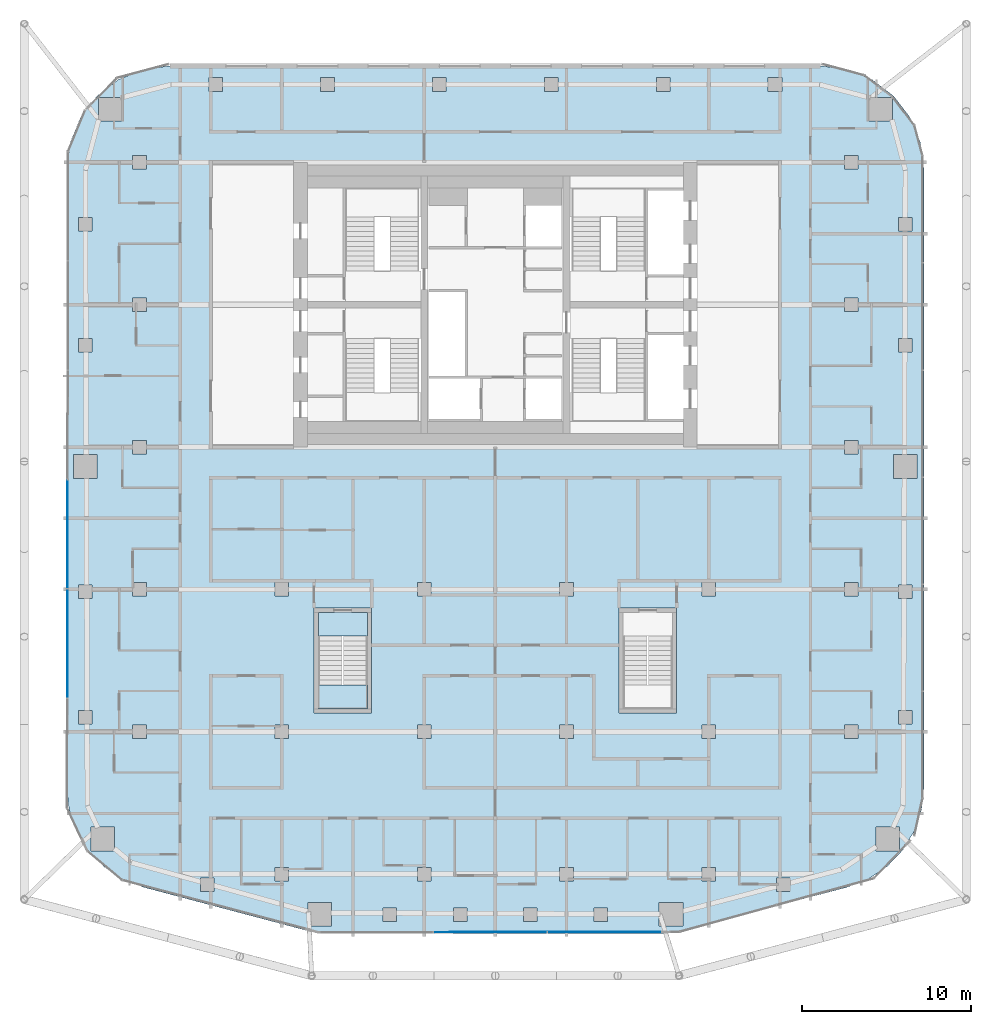
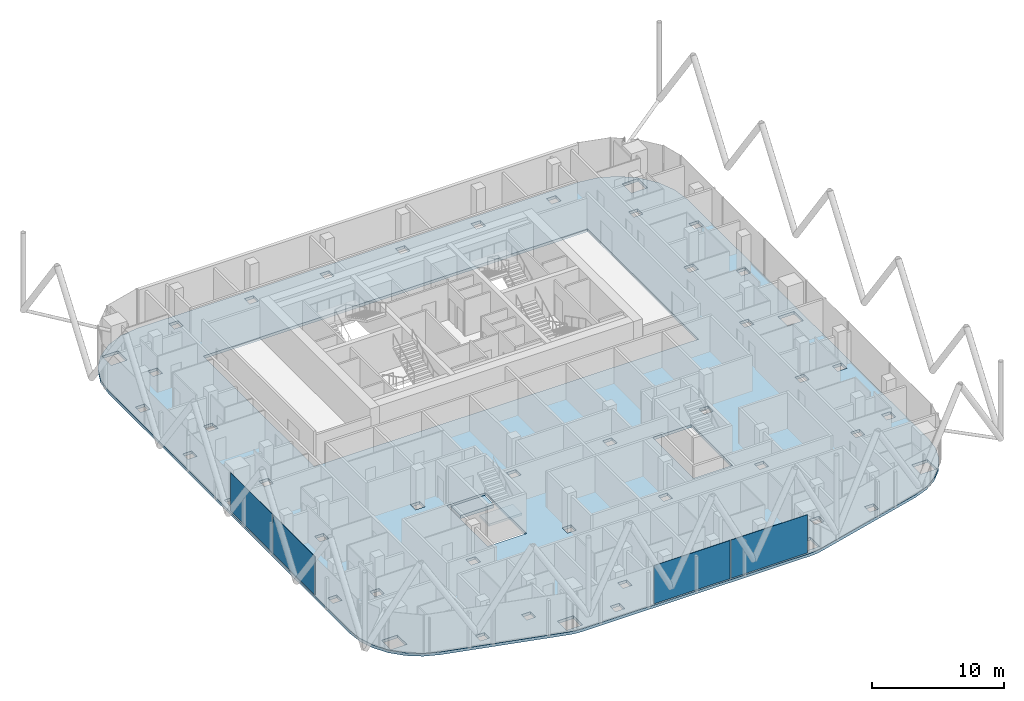
# One storey, part 15 of 28: 4 plates, 3 slabs, 3 elements without a shape of their own.
"""IFC4 building model written with IfcOpenShell, lengths in metres."""

from ifc_helpers import new_model, si_unit, direction, frame, origin, origin_2d, place, context, subcontext, project, spatial, polyline, rectangle, outline, extrude, material, layer, layer_set, type_object, element, aggregate, save


model = new_model("IFC4")

# Units and contexts
model_context = context("Model", 3, precision=1e-05, world=origin(), true_north=direction((0.0, 1.0)))
body_context = subcontext(model_context, "Body", "Model", "MODEL_VIEW")
ifc_project = project(units=[si_unit("LENGTHUNIT", "METRE"), si_unit("AREAUNIT", "SQUARE_METRE"), si_unit("VOLUMEUNIT", "CUBIC_METRE"), si_unit("PLANEANGLEUNIT", "RADIAN"), si_unit("MASSUNIT", "GRAM", prefix="KILO")], contexts=[model_context])

# Site, building, storey
site_placement = place(None, origin())
site = spatial("IfcSite", under=ifc_project, at=site_placement, CompositionType="ELEMENT")
building_placement = place(site_placement, origin())
building = spatial("IfcBuilding", under=site, at=building_placement, Name="Marenta Gate Hotel Tower", CompositionType="ELEMENT")
storey_placement = place(building_placement, frame((0.0, 0.0, 212.89990234375)))
storey = spatial("IfcBuildingStorey", under=building, at=storey_placement, Name="L49", CompositionType="ELEMENT", Elevation=212.89990234375)

# Slab
ifc_material_1 = material(Name="Concrete C35", Category="concrete")
ifc_layer_1 = layer(ifc_material_1, 0.260009765625)
ifc_layer_set_1 = layer_set([ifc_layer_1], Name="Concrete C35")
slab_type_1 = type_object("IfcSlabType", Name="Concrete floor slab 260", PredefinedType="FLOOR", material=ifc_layer_set_1)
slab_1_placement = place(storey_placement, frame((0.0, 0.0, -0.260009765625)))
element("IfcSlab", 1, at=slab_1_placement, inside=storey, type_object=slab_type_1, Name="L49-SL-1", PredefinedType="FLOOR", context=body_context, shape_type="SweptSolid", body=[
    extrude(outline(polyline([(-23.11376953125, -24.76416015625), (-24.035400390625, -23.803955078125), (-24.72705078125, -22.6669921875), (-25.155517578125, -21.4072265625), (-25.300048828125, -20.08984375), (-25.300048828125, 16.406494140625), (-25.093017578125, 17.97900390625), (-24.483642578125, 19.450439453125), (-23.513916015625, 20.7138671875), (-22.25048828125, 21.68359375), (-20.779052734375, 22.29296875), (-19.20654296875, 22.5), (19.20654296875, 22.5), (20.779052734375, 22.29296875), (22.25048828125, 21.68359375), (23.513916015625, 20.7138671875), (24.483642578125, 19.450439453125), (25.093017578125, 17.97900390625), (25.300048828125, 16.406494140625), (25.300048828125, -20.08984375), (25.155517578125, -21.4072265625), (24.72705078125, -22.6669921875), (24.035400390625, -23.803955078125), (23.11376953125, -24.76416015625), (22.005859375, -25.501220703125), (20.76953125, -25.978759765625), (11.026611328125, -28.563720703125), (10.508544921875, -28.665771484375), (9.981689453125, -28.699951171875), (-9.981689453125, -28.699951171875), (-10.508544921875, -28.665771484375), (-11.026611328125, -28.563720703125), (-20.76953125, -25.978759765625), (-22.005859375, -25.501220703125), (-23.11376953125, -24.76416015625)]), holes=[polyline([(-16.800048828125, 0.0), (16.800048828125, 0.0), (16.800048828125, 16.800048828125), (-16.800048828125, 16.800048828125), (-16.800048828125, 0.0)]), polyline([(-16.606689453125, -25.439208984375), (-17.40673828125, -25.439208984375), (-17.40673828125, -26.239013671875), (-16.606689453125, -26.239013671875), (-16.606689453125, -25.439208984375)]), polyline([(-12.199951171875, -25.60009765625), (-12.199951171875, -24.800048828125), (-13.0, -24.800048828125), (-13.0, -25.60009765625), (-12.199951171875, -25.60009765625)]), polyline([(-22.462890625, -23.8330078125), (-22.462890625, -22.43310546875), (-23.863037109375, -22.43310546875), (-23.863037109375, -23.8330078125), (-22.462890625, -23.8330078125)]), polyline([(-12.199951171875, -16.39990234375), (-13.0, -16.39990234375), (-13.0, -17.199951171875), (-12.199951171875, -17.199951171875), (-12.199951171875, -16.39990234375)]), polyline([(-20.60009765625, -17.199951171875), (-20.60009765625, -16.39990234375), (-21.39990234375, -16.39990234375), (-21.39990234375, -17.199951171875), (-20.60009765625, -17.199951171875)]), polyline([(-23.800048828125, -16.351806640625), (-23.800048828125, -15.552001953125), (-24.60009765625, -15.552001953125), (-24.60009765625, -16.351806640625), (-23.800048828125, -16.351806640625)]), polyline([(-23.800048828125, -8.15087890625), (-24.60009765625, -8.15087890625), (-24.60009765625, -8.950927734375), (-23.800048828125, -8.950927734375), (-23.800048828125, -8.15087890625)]), polyline([(-12.199951171875, -8.800048828125), (-12.199951171875, -8.0), (-13.0, -8.0), (-13.0, -8.800048828125), (-12.199951171875, -8.800048828125)]), polyline([(-20.60009765625, -8.800048828125), (-20.60009765625, -8.0), (-21.39990234375, -8.0), (-21.39990234375, -8.800048828125), (-20.60009765625, -8.800048828125)]), polyline([(-23.5, -0.449951171875), (-24.89990234375, -0.449951171875), (-24.89990234375, -1.85009765625), (-23.5, -1.85009765625), (-23.5, -0.449951171875)]), polyline([(-20.60009765625, -0.39990234375), (-20.60009765625, 0.39990234375), (-21.39990234375, 0.39990234375), (-21.39990234375, -0.39990234375), (-20.60009765625, -0.39990234375)]), polyline([(-23.800048828125, 5.603271484375), (-23.800048828125, 6.4033203125), (-24.60009765625, 6.4033203125), (-24.60009765625, 5.603271484375), (-23.800048828125, 5.603271484375)]), polyline([(-20.60009765625, 8.800048828125), (-21.39990234375, 8.800048828125), (-21.39990234375, 8.0), (-20.60009765625, 8.0), (-20.60009765625, 8.800048828125)]), polyline([(-23.800048828125, 12.75634765625), (-23.800048828125, 13.556396484375), (-24.60009765625, 13.556396484375), (-24.60009765625, 12.75634765625), (-23.800048828125, 12.75634765625)]), polyline([(-20.60009765625, 16.39990234375), (-20.60009765625, 17.199951171875), (-21.39990234375, 17.199951171875), (-21.39990234375, 16.39990234375), (-20.60009765625, 16.39990234375)]), polyline([(-22.035400390625, 20.635498046875), (-23.435546875, 20.635498046875), (-23.435546875, 19.235595703125), (-22.035400390625, 19.235595703125), (-22.035400390625, 20.635498046875)]), polyline([(-16.10693359375, 21.0), (-16.10693359375, 21.800048828125), (-16.906982421875, 21.800048828125), (-16.906982421875, 21.0), (-16.10693359375, 21.0)]), polyline([(-5.820068359375, -28.0), (-5.820068359375, -27.199951171875), (-6.6201171875, -27.199951171875), (-6.6201171875, -28.0), (-5.820068359375, -28.0)]), polyline([(6.6201171875, -27.199951171875), (5.820068359375, -27.199951171875), (5.820068359375, -28.0), (6.6201171875, -28.0), (6.6201171875, -27.199951171875)]), polyline([(2.473388671875, -28.0), (2.473388671875, -27.199951171875), (1.67333984375, -27.199951171875), (1.67333984375, -28.0), (2.473388671875, -28.0)]), polyline([(-1.67333984375, -28.0), (-1.67333984375, -27.199951171875), (-2.473388671875, -27.199951171875), (-2.473388671875, -28.0), (-1.67333984375, -28.0)]), polyline([(-9.666259765625, -28.27490234375), (-9.666259765625, -26.874755859375), (-11.06640625, -26.874755859375), (-11.06640625, -28.27490234375), (-9.666259765625, -28.27490234375)]), polyline([(11.06640625, -28.27490234375), (11.06640625, -26.874755859375), (9.666259765625, -26.874755859375), (9.666259765625, -28.27490234375), (11.06640625, -28.27490234375)]), polyline([(13.0, -25.60009765625), (13.0, -24.800048828125), (12.199951171875, -24.800048828125), (12.199951171875, -25.60009765625), (13.0, -25.60009765625)]), polyline([(4.60009765625, -25.60009765625), (4.60009765625, -24.800048828125), (3.800048828125, -24.800048828125), (3.800048828125, -25.60009765625), (4.60009765625, -25.60009765625)]), polyline([(-3.800048828125, -24.800048828125), (-4.60009765625, -24.800048828125), (-4.60009765625, -25.60009765625), (-3.800048828125, -25.60009765625), (-3.800048828125, -24.800048828125)]), polyline([(4.60009765625, -17.199951171875), (4.60009765625, -16.39990234375), (3.800048828125, -16.39990234375), (3.800048828125, -17.199951171875), (4.60009765625, -17.199951171875)]), polyline([(-3.800048828125, -17.199951171875), (-3.800048828125, -16.39990234375), (-4.60009765625, -16.39990234375), (-4.60009765625, -17.199951171875), (-3.800048828125, -17.199951171875)]), polyline([(4.60009765625, -8.0), (3.800048828125, -8.0), (3.800048828125, -8.800048828125), (4.60009765625, -8.800048828125), (4.60009765625, -8.0)]), polyline([(-3.800048828125, -8.800048828125), (-3.800048828125, -8.0), (-4.60009765625, -8.0), (-4.60009765625, -8.800048828125), (-3.800048828125, -8.800048828125)]), polyline([(-2.9013671875, 21.0), (-2.9013671875, 21.800048828125), (-3.701416015625, 21.800048828125), (-3.701416015625, 21.0), (-2.9013671875, 21.0)]), polyline([(3.701416015625, 21.800048828125), (2.9013671875, 21.800048828125), (2.9013671875, 21.0), (3.701416015625, 21.0), (3.701416015625, 21.800048828125)]), polyline([(10.30419921875, 21.0), (10.30419921875, 21.800048828125), (9.504150390625, 21.800048828125), (9.504150390625, 21.0), (10.30419921875, 21.0)]), polyline([(-9.504150390625, 21.0), (-9.504150390625, 21.800048828125), (-10.30419921875, 21.800048828125), (-10.30419921875, 21.0), (-9.504150390625, 21.0)]), polyline([(17.40673828125, -25.439208984375), (16.606689453125, -25.439208984375), (16.606689453125, -26.239013671875), (17.40673828125, -26.239013671875), (17.40673828125, -25.439208984375)]), polyline([(23.863037109375, -23.8330078125), (23.863037109375, -22.43310546875), (22.462890625, -22.43310546875), (22.462890625, -23.8330078125), (23.863037109375, -23.8330078125)]), polyline([(13.0, -17.199951171875), (13.0, -16.39990234375), (12.199951171875, -16.39990234375), (12.199951171875, -17.199951171875), (13.0, -17.199951171875)]), polyline([(21.39990234375, -16.39990234375), (20.60009765625, -16.39990234375), (20.60009765625, -17.199951171875), (21.39990234375, -17.199951171875), (21.39990234375, -16.39990234375)]), polyline([(24.60009765625, -16.351806640625), (24.60009765625, -15.552001953125), (23.800048828125, -15.552001953125), (23.800048828125, -16.351806640625), (24.60009765625, -16.351806640625)]), polyline([(24.60009765625, -8.950927734375), (24.60009765625, -8.15087890625), (23.800048828125, -8.15087890625), (23.800048828125, -8.950927734375), (24.60009765625, -8.950927734375)]), polyline([(13.0, -8.0), (12.199951171875, -8.0), (12.199951171875, -8.800048828125), (13.0, -8.800048828125), (13.0, -8.0)]), polyline([(21.39990234375, -8.800048828125), (21.39990234375, -8.0), (20.60009765625, -8.0), (20.60009765625, -8.800048828125), (21.39990234375, -8.800048828125)]), polyline([(24.89990234375, -1.85009765625), (24.89990234375, -0.449951171875), (23.5, -0.449951171875), (23.5, -1.85009765625), (24.89990234375, -1.85009765625)]), polyline([(21.39990234375, 0.39990234375), (20.60009765625, 0.39990234375), (20.60009765625, -0.39990234375), (21.39990234375, -0.39990234375), (21.39990234375, 0.39990234375)]), polyline([(24.60009765625, 5.603271484375), (24.60009765625, 6.4033203125), (23.800048828125, 6.4033203125), (23.800048828125, 5.603271484375), (24.60009765625, 5.603271484375)]), polyline([(21.39990234375, 8.0), (21.39990234375, 8.800048828125), (20.60009765625, 8.800048828125), (20.60009765625, 8.0), (21.39990234375, 8.0)]), polyline([(24.60009765625, 12.75634765625), (24.60009765625, 13.556396484375), (23.800048828125, 13.556396484375), (23.800048828125, 12.75634765625), (24.60009765625, 12.75634765625)]), polyline([(21.39990234375, 16.39990234375), (21.39990234375, 17.199951171875), (20.60009765625, 17.199951171875), (20.60009765625, 16.39990234375), (21.39990234375, 16.39990234375)]), polyline([(23.435546875, 19.235595703125), (23.435546875, 20.635498046875), (22.035400390625, 20.635498046875), (22.035400390625, 19.235595703125), (23.435546875, 19.235595703125)]), polyline([(16.906982421875, 21.0), (16.906982421875, 21.800048828125), (16.10693359375, 21.800048828125), (16.10693359375, 21.0), (16.906982421875, 21.0)]), polyline([(-7.300048828125, -15.699951171875), (-7.300048828125, -9.5), (-10.699951171875, -9.5), (-10.699951171875, -15.699951171875), (-7.300048828125, -15.699951171875)]), polyline([(10.699951171875, -15.699951171875), (10.699951171875, -9.5), (7.300048828125, -9.5), (7.300048828125, -15.699951171875), (10.699951171875, -15.699951171875)])]), origin(), (0.0, 0.0, 1.0), 0.260009765625),
])

# Curtain wall, plates
ifc_material_2 = material(Name="Tinted insulated glass in bronze anodised frame", Category="glass")
ifc_layer_2 = layer(ifc_material_2, 0.1201171875)
ifc_layer_set_2 = layer_set([ifc_layer_2], Name="Tinted insulated glass in bronze anodised frame")
curtain_wall_type = type_object("IfcCurtainWallType", Name="Tower unitised curtain wall CW1", PredefinedType="NOTDEFINED", material=ifc_layer_set_2)
curtain_wall_1_placement = place(storey_placement, origin())
curtain_wall_1 = element("IfcCurtainWall", 2, at=curtain_wall_1_placement, inside=storey, type_object=curtain_wall_type, Name="CW1 run G04", PredefinedType="NOTDEFINED")
ifc_material_3 = material(Name="Tinted insulated glass", Category="glass")
ifc_layer_3 = layer(ifc_material_3, 0.028076171875)
ifc_layer_set_3 = layer_set([ifc_layer_3], Name="Tinted insulated glass")
plate_type = type_object("IfcPlateType", Name="Glass panel CW1 28 mm tinted insulated unit", PredefinedType="CURTAIN_PANEL", material=ifc_layer_set_3)
plate_1_placement = place(storey_placement, frame((-25.247802734375, -5.143798828125, 0.06005859375), z_axis=(0.0, 0.0, 1.0), x_axis=(-0.001566045546, -0.99999877375, 0.0)))
plate_1 = element("IfcPlate", 3, at=plate_1_placement, type_object=plate_type, Name="CW1 panel 4.1", PredefinedType="CURTAIN_PANEL", context=body_context, shape_type="SweptSolid", body=[
    extrude(rectangle(XDim=6.39990234375, YDim=0.028076171875, at=origin_2d()), origin(), (0.0, 0.0, 1.0), 3.5400390625),
])
plate_2_placement = place(storey_placement, frame((-25.2578125, -11.603759765625, 0.06005859375), z_axis=(0.0, 0.0, 1.0), x_axis=(-0.001566045546, -0.99999877375, 0.0)))
plate_2 = element("IfcPlate", 4, at=plate_2_placement, type_object=plate_type, Name="CW1 panel 5.1", PredefinedType="CURTAIN_PANEL", context=body_context, shape_type="SweptSolid", body=[
    extrude(rectangle(XDim=6.39990234375, YDim=0.028076171875, at=origin_2d()), origin(), (0.0, 0.0, 1.0), 3.5400390625),
])
aggregate(curtain_wall_1, [plate_1, plate_2])

curtain_wall_2_placement = place(storey_placement, origin())
curtain_wall_2 = element("IfcCurtainWall", 5, at=curtain_wall_2_placement, inside=storey, type_object=curtain_wall_type, Name="CW1 run G12", PredefinedType="NOTDEFINED")
plate_3_placement = place(storey_placement, frame((-0.3056640625, -28.630859375, 0.06005859375), z_axis=(0.0, 0.0, 1.0), x_axis=(0.999998649471, 0.001643488917, 0.0)))
plate_3 = element("IfcPlate", 6, at=plate_3_placement, type_object=plate_type, Name="CW1 panel 2.1", PredefinedType="CURTAIN_PANEL", context=body_context, shape_type="SweptSolid", body=[
    extrude(rectangle(XDim=6.673583984375, YDim=0.028076171875, at=origin_2d()), origin(), (0.0, 0.0, 1.0), 3.5400390625),
])
plate_4_placement = place(storey_placement, frame((6.443115234375, -28.619873046875, 0.06005859375), z_axis=(0.0, 0.0, 1.0), x_axis=(0.999998649471, 0.001643488917, 0.0)))
plate_4 = element("IfcPlate", 7, at=plate_4_placement, type_object=plate_type, Name="CW1 panel 3.1", PredefinedType="CURTAIN_PANEL", context=body_context, shape_type="SweptSolid", body=[
    extrude(rectangle(XDim=6.70361328125, YDim=0.028076171875, at=origin_2d()), origin(), (0.0, 0.0, 1.0), 3.5400390625),
])
aggregate(curtain_wall_2, [plate_3, plate_4])

# Stair, slab
ifc_material_4 = material(Name="Concrete C40", Category="concrete")
stair_type = type_object("IfcStairType", Name="Remote exit stair 1400 wide", PredefinedType="HALF_TURN_STAIR", material=ifc_material_4)
stair_placement = place(storey_placement, origin())
stair = element("IfcStair", 8, at=stair_placement, inside=storey, type_object=stair_type, Name="Exit stair RS-Z3-1", PredefinedType="HALF_TURN_STAIR")
ifc_material_5 = material(Name="Concrete C40", Category="concrete")
ifc_layer_4 = layer(ifc_material_5, 0.199951171875)
ifc_layer_set_4 = layer_set([ifc_layer_4], Name="Concrete C40")
slab_type_2 = type_object("IfcSlabType", Name="Remote stair landing 200", PredefinedType="LANDING", material=ifc_layer_set_4)
slab_2_placement = place(storey_placement, frame((0.0, 0.0, 1.60009765625)))
slab_2 = element("IfcSlab", 9, at=slab_2_placement, type_object=slab_type_2, Name="RL-200 RS-Z3-1 landing 1", PredefinedType="LANDING", context=body_context, shape_type="SweptSolid", body=[
    extrude(outline(polyline([(-10.449951171875, -15.449951171875), (-7.550048828125, -15.449951171875), (-7.550048828125, -14.050048828125), (-10.449951171875, -14.050048828125), (-10.449951171875, -15.449951171875)])), origin(), (0.0, 0.0, 1.0), 0.199951171875),
])
aggregate(stair, [slab_2])

# Slab
ifc_material_6 = material(Name="Concrete C40", Category="concrete")
ifc_layer_5 = layer(ifc_material_6, 0.300048828125)
ifc_layer_set_5 = layer_set([ifc_layer_5], Name="Concrete C40")
slab_type_3 = type_object("IfcSlabType", Name="Stair floor landing slab 300", PredefinedType="FLOOR", material=ifc_layer_set_5)
slab_3_placement = place(storey_placement, frame((0.0, 0.0, -0.2998046875)))
element("IfcSlab", 10, at=slab_3_placement, inside=storey, type_object=slab_type_3, Name="L49-RS-Z3-1-CL", PredefinedType="FLOOR", context=body_context, shape_type="SweptSolid", body=[
    extrude(outline(polyline([(-7.550048828125, -11.14990234375), (-7.550048828125, -9.75), (-10.449951171875, -9.75), (-10.449951171875, -11.14990234375), (-7.550048828125, -11.14990234375)])), origin(), (0.0, 0.0, 1.0), 0.2998046875),
])

save(model, "model.ifc")
